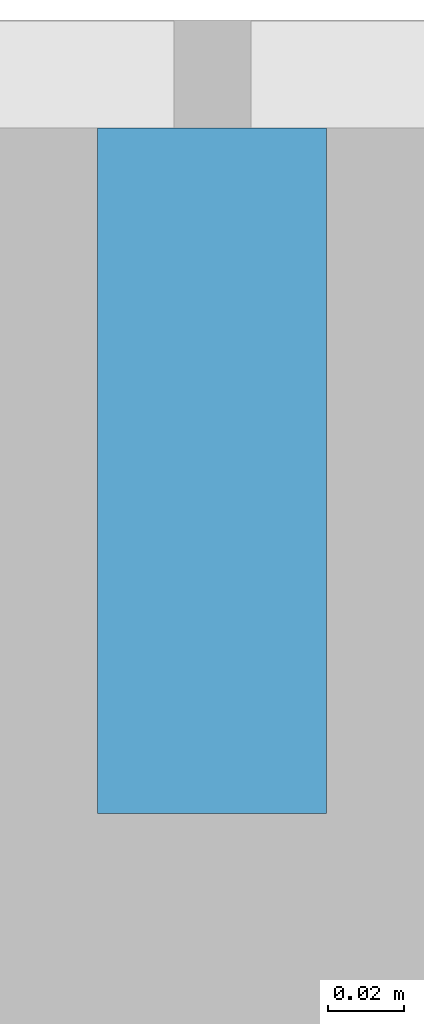
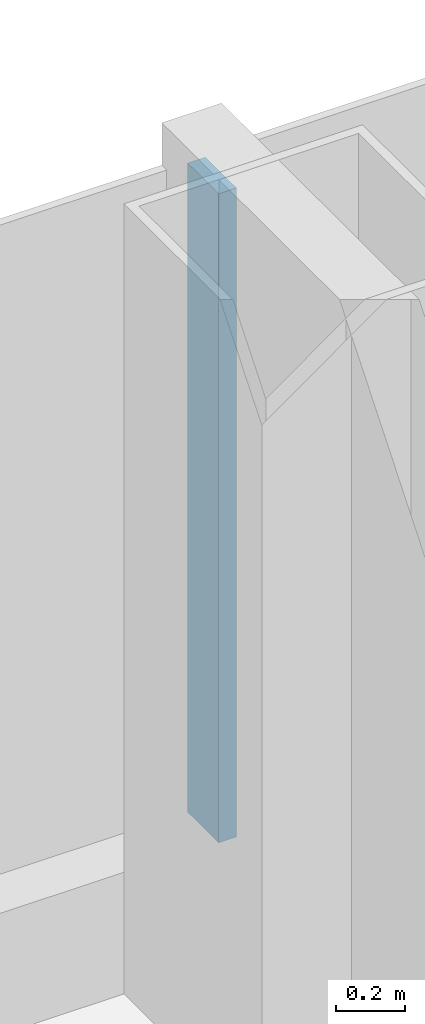
# One storey, part 10 of 29: 1 member, 1 element without a shape of its own.
"""IFC4 building model written with IfcOpenShell, lengths in metres."""

import ifcopenshell
import ifcopenshell.guid

model = None  # the IFC model being written
_history = None  # IfcOwnerHistory: only IFC2X3 demands one
_inside = {}  # id of a spatial element -> (the spatial element, [elements in it])
_under = {}  # id of a project, library or spatial element -> (it, [spatial elements below it])
_declared = {}  # id of a project -> (the project, [libraries it declares])
_typed = {}  # id of a type object -> (the type object, [elements of that type])
_made_of = {}  # id of a material, layer set ... -> (it, [elements and type objects made of it])


def new_model(schema):
    """Start an empty IFC model of exactly this schema.

    Asked for "IFC4X3", IfcOpenShell would pick the latest addendum, in which some entities
    have other attributes; the version numbers below select the first issue.
    IFC2X3 requires an IfcOwnerHistory on every rooted entity: one is made here for all.
    """
    global model, _history
    if schema == "IFC4X3":
        model = ifcopenshell.file(schema_version=(4, 3, 0, 0))
    else:
        model = ifcopenshell.file(schema=schema)
    _inside.clear()
    _under.clear()
    _declared.clear()
    _typed.clear()
    _made_of.clear()
    _history = None
    if model.schema == "IFC2X3":
        org = make("IfcOrganization", Name="unknown")
        user = make(
            "IfcPersonAndOrganization",
            ThePerson=make("IfcPerson", FamilyName="unknown"),
            TheOrganization=org,
        )
        app = make(
            "IfcApplication",
            ApplicationDeveloper=org,
            Version="unknown",
            ApplicationFullName="unknown",
            ApplicationIdentifier="unknown",
        )
        _history = make(
            "IfcOwnerHistory",
            OwningUser=user,
            OwningApplication=app,
            ChangeAction="ADDED",
            CreationDate=0,
        )
    return model


def make(cls, **values):
    """One entity of the class cls with the attributes given. An attribute that is None is left unset."""
    return model.create_entity(
        cls, **{name: value for name, value in values.items() if value is not None}
    )


def rooted(cls, **values):
    """An entity with a GlobalId (a new one), such as an element, a storey or a relation."""
    return make(cls, GlobalId=ifcopenshell.guid.new(), OwnerHistory=_history, **values)


def si_unit(unit_type, name, prefix=None):
    """IfcSIUnit, for example si_unit("LENGTHUNIT", "METRE", prefix="MILLI")."""
    return make("IfcSIUnit", UnitType=unit_type, Prefix=prefix, Name=name)


def assignment(units):
    """IfcUnitAssignment: the units of a project."""
    return None if units is None else make("IfcUnitAssignment", Units=units)


def point(xyz):
    """IfcCartesianPoint."""
    return None if xyz is None else make("IfcCartesianPoint", Coordinates=xyz)


def direction(xyz):
    """IfcDirection."""
    return None if xyz is None else make("IfcDirection", DirectionRatios=xyz)


def frame(location, z_axis=None, x_axis=None):
    """IfcAxis2Placement3D, a coordinate frame: its origin and axes. An axis left out is left unset."""
    return make(
        "IfcAxis2Placement3D",
        Location=point(location),
        Axis=direction(z_axis),
        RefDirection=direction(x_axis),
    )


def frame_2d(location, x_axis=None):
    """IfcAxis2Placement2D, a coordinate frame in the plane: its origin and x axis."""
    return make(
        "IfcAxis2Placement2D", Location=point(location), RefDirection=direction(x_axis)
    )


def origin():
    """The frame at (0, 0, 0) with its axes left unset."""
    return frame((0.0, 0.0, 0.0))


def origin_2d():
    """The frame at (0, 0) in the plane with its x axis left unset."""
    return frame_2d((0.0, 0.0))


def place(relative_to, where):
    """IfcLocalPlacement: puts the frame where relative to a parent placement (None: the world)."""
    return make(
        "IfcLocalPlacement", PlacementRelTo=relative_to, RelativePlacement=where
    )


def context(
    kind, dimensions, precision=None, world=None, true_north=None, identifier=None
):
    """IfcGeometricRepresentationContext, for example the 3D "Model" context."""
    return make(
        "IfcGeometricRepresentationContext",
        ContextIdentifier=identifier,
        ContextType=kind,
        CoordinateSpaceDimension=dimensions,
        Precision=precision,
        WorldCoordinateSystem=world,
        TrueNorth=true_north,
    )


def subcontext(parent, identifier, kind, view, scale=None):
    """IfcGeometricRepresentationSubContext, for example "Body" below "Model"."""
    return make(
        "IfcGeometricRepresentationSubContext",
        ContextIdentifier=identifier,
        ContextType=kind,
        ParentContext=parent,
        TargetScale=scale,
        TargetView=view,
    )


def project(units=None, contexts=None):
    """IfcProject with its units and contexts."""
    return rooted(
        "IfcProject",
        Name="project",
        RepresentationContexts=contexts,
        UnitsInContext=assignment(units),
    )


def spatial(cls, under=None, at=None, **own):
    """A site, building, storey or space (cls), placed at a placement, below another one or the project."""
    s = rooted(cls, ObjectPlacement=at, **own)
    if under is not None:
        _under.setdefault(under.id(), (under, []))[1].append(s)
    return s


def profile(cls, at=None, kind="AREA", **sizes):
    """A parametric profile (cls). Its sizes go by their IFC names, for example OverallWidth=200.0."""
    return make(cls, ProfileType=kind, Position=at, **sizes)


def rectangle(**sizes):
    """IfcRectangleProfileDef."""
    return profile("IfcRectangleProfileDef", **sizes)


def extrude(swept, where, along, depth):
    """IfcExtrudedAreaSolid: the profile swept, set in the frame where, extruded along a direction by depth."""
    return make(
        "IfcExtrudedAreaSolid",
        SweptArea=swept,
        Position=where,
        ExtrudedDirection=direction(along),
        Depth=depth,
    )


def shape(context_of_items, identifier, shape_type, items):
    """IfcShapeRepresentation: the items that make up one representation, for example the "Body"."""
    return make(
        "IfcShapeRepresentation",
        ContextOfItems=context_of_items,
        RepresentationIdentifier=identifier,
        RepresentationType=shape_type,
        Items=items,
    )


def material(Name=None, Category=None):
    """IfcMaterial."""
    return make("IfcMaterial", Name=Name, Category=Category)


def layer(
    of_material, thickness, ventilated=None, Name=None, Category=None, Priority=None
):
    """IfcMaterialLayer: one layer of a wall or slab, of a material (None: an air gap)."""
    return make(
        "IfcMaterialLayer",
        Material=of_material,
        LayerThickness=thickness,
        IsVentilated=ventilated,
        Name=Name,
        Category=Category,
        Priority=Priority,
    )


def layer_set(layers, Name=None):
    """IfcMaterialLayerSet."""
    return make("IfcMaterialLayerSet", MaterialLayers=layers, LayerSetName=Name)


def material_profile(
    of_material, cross_section, Name=None, Category=None, Priority=None
):
    """IfcMaterialProfile: a cross section and its material."""
    return make(
        "IfcMaterialProfile",
        Name=Name,
        Material=of_material,
        Profile=cross_section,
        Priority=Priority,
        Category=Category,
    )


def profile_set(profiles, Name=None, composite=None):
    """IfcMaterialProfileSet."""
    return make(
        "IfcMaterialProfileSet",
        Name=Name,
        MaterialProfiles=profiles,
        CompositeProfile=composite,
    )


def made_of(thing, what):
    """Note that an element or type object is made of a material, layer set ...; save() writes the relation."""
    if what is not None:
        _made_of.setdefault(what.id(), (what, []))[1].append(thing)
    return thing


def type_object(cls, material=None, **own):
    """A type object (cls), such as IfcWallType, which elements share."""
    return made_of(rooted(cls, **own), material)


def element(
    cls,
    number,
    at=None,
    inside=None,
    cuts=None,
    type_object=None,
    material=None,
    context=None,
    identifier="Body",
    shape_type=None,
    held_by="IfcProductDefinitionShape",
    body=None,
    shapes=None,
    **own,
):
    """One element of the class cls, such as IfcWall. Its Tag is "e" and its number.

    at: its placement. inside: the storey or other place that contains it. cuts: it is an
    opening in that element (IfcRelVoidsElement). A single representation is given by context,
    identifier, shape_type and body (its items); several are given by shapes. held_by: the class
    of the entity that holds the representations. save() writes the other relations.
    """
    e = rooted(cls, Tag="e%d" % number, ObjectPlacement=at, **own)
    if body is not None:
        shapes = [shape(context, identifier, shape_type, body)]
    if shapes is not None:
        e.Representation = make(held_by, Representations=shapes)
    if inside is not None:
        _inside.setdefault(inside.id(), (inside, []))[1].append(e)
    if cuts is not None:
        rooted(
            "IfcRelVoidsElement", RelatingBuildingElement=cuts, RelatedOpeningElement=e
        )
    if type_object is not None:
        _typed.setdefault(type_object.id(), (type_object, []))[1].append(e)
    return made_of(e, material)


def aggregate(whole, parts):
    """IfcRelAggregates: a whole, such as a stair, and the parts it consists of."""
    return rooted("IfcRelAggregates", RelatingObject=whole, RelatedObjects=parts)


def save(model, path):
    """Write the relations noted so far, then the file.

    IfcRelAggregates (storeys below a building ...), IfcRelContainedInSpatialStructure (elements
    in a storey), IfcRelDefinesByType, IfcRelAssociatesMaterial and IfcRelDeclares: one each for
    every whole, place, type object, material and project.
    """
    for whole, parts in _under.values():
        aggregate(whole, parts)
    for where, things in _inside.values():
        rooted(
            "IfcRelContainedInSpatialStructure",
            RelatedElements=things,
            RelatingStructure=where,
        )
    for kind, things in _typed.values():
        rooted("IfcRelDefinesByType", RelatedObjects=things, RelatingType=kind)
    for what, things in _made_of.values():
        rooted("IfcRelAssociatesMaterial", RelatedObjects=things, RelatingMaterial=what)
    for by, libraries in _declared.values():
        rooted("IfcRelDeclares", RelatingContext=by, RelatedDefinitions=libraries)
    model.write(path)


model = new_model("IFC4")

# Units and contexts
model_context = context("Model", 3, precision=1e-05, world=origin(), true_north=direction((0.0, 1.0)))
body_context = subcontext(model_context, "Body", "Model", "MODEL_VIEW")
ifc_project = project(units=[si_unit("LENGTHUNIT", "METRE"), si_unit("AREAUNIT", "SQUARE_METRE"), si_unit("VOLUMEUNIT", "CUBIC_METRE"), si_unit("PLANEANGLEUNIT", "RADIAN"), si_unit("MASSUNIT", "GRAM", prefix="KILO")], contexts=[model_context])

# Site, building, storey
site_placement = place(None, origin())
site = spatial("IfcSite", under=ifc_project, at=site_placement, CompositionType="ELEMENT")
building_placement = place(site_placement, origin())
building = spatial("IfcBuilding", under=site, at=building_placement, Name="Hakoniwa Tower and Hamabe Station Hall", CompositionType="ELEMENT")
storey_placement = place(building_placement, frame((0.0, 0.0, 88.199951171875)))
storey = spatial("IfcBuildingStorey", under=building, at=storey_placement, Name="L24", CompositionType="ELEMENT", Elevation=88.199951171875)

# Curtain wall, member
ifc_material_1 = material(Name="Dark low-e laminated glass", Category="glass")
ifc_layer = layer(ifc_material_1, 0.199951171875)
ifc_layer_set = layer_set([ifc_layer], Name="CW-1 UNITISED GUEST")
curtain_wall_type = type_object("IfcCurtainWallType", Name="CW-1 UNITISED GUEST", PredefinedType="NOTDEFINED", material=ifc_layer_set)
curtain_wall_placement = place(storey_placement, origin())
curtain_wall = element("IfcCurtainWall", 1, at=curtain_wall_placement, inside=storey, type_object=curtain_wall_type, Name="CW-1 curtain wall", PredefinedType="NOTDEFINED")
ifc_material_2 = material(Name="Aluminium 6063-T5 black anodised", Category="aluminium")
ifc_material_profile = material_profile(ifc_material_2, rectangle(XDim=0.06005859375, YDim=0.179931640625, at=origin_2d()), Name="CW-1 MULLION 60X180")
ifc_profile_set = profile_set([ifc_material_profile], Name="Aluminium 6063-T5 black anodised")
member_type = type_object("IfcMemberType", Name="CW-1 MULLION 60X180", PredefinedType="MULLION", material=ifc_profile_set)
member_placement = place(storey_placement, frame((8.39990234375, 23.431884765625, 0.35009765625), z_axis=(0.0, 0.0, 1.0), x_axis=(-1.0, 0.0, 0.0)))
member = element("IfcMember", 2, at=member_placement, type_object=member_type, Name="CW-1 mullion", PredefinedType="MULLION", context=body_context, shape_type="SweptSolid", body=[
    extrude(rectangle(XDim=0.06005859375, YDim=0.179931640625, at=origin_2d()), origin(), (0.0, 0.0, 1.0), 2.300048828125),
])
aggregate(curtain_wall, [member])

save(model, "model.ifc")
